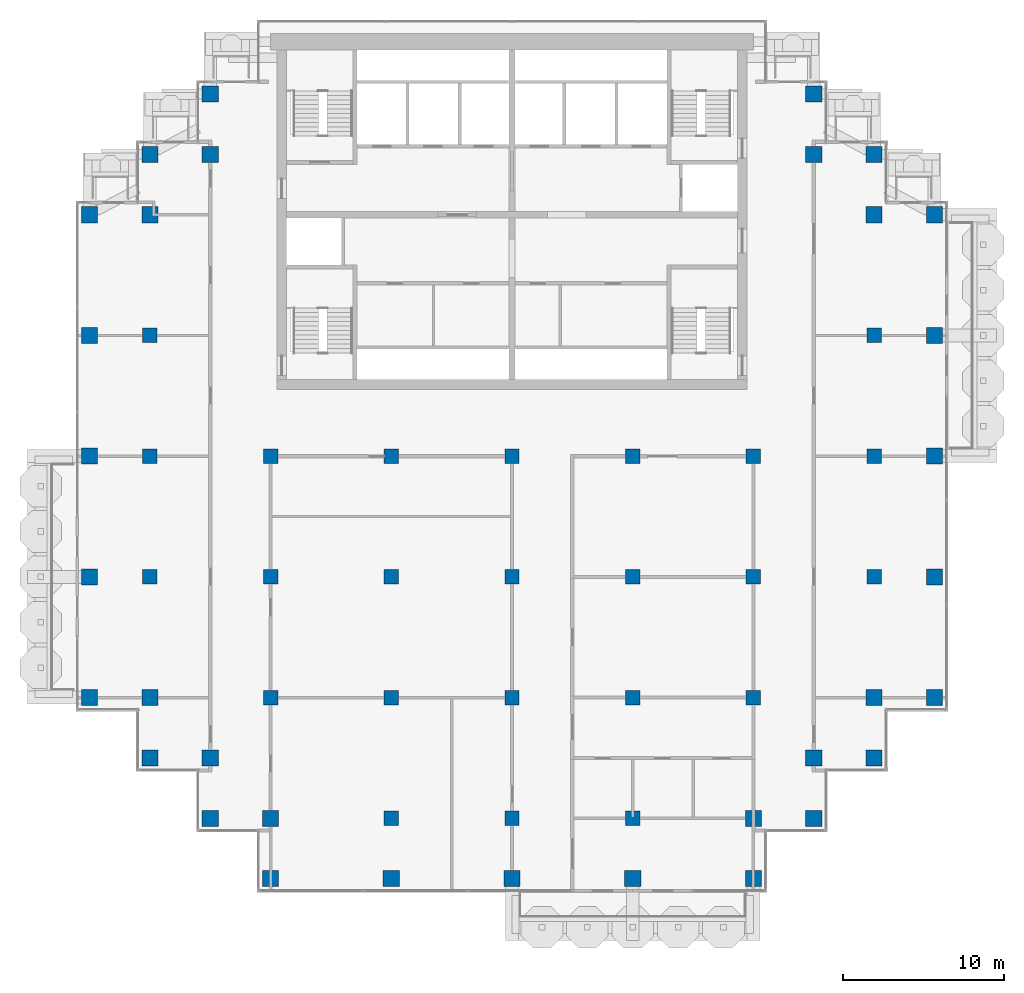
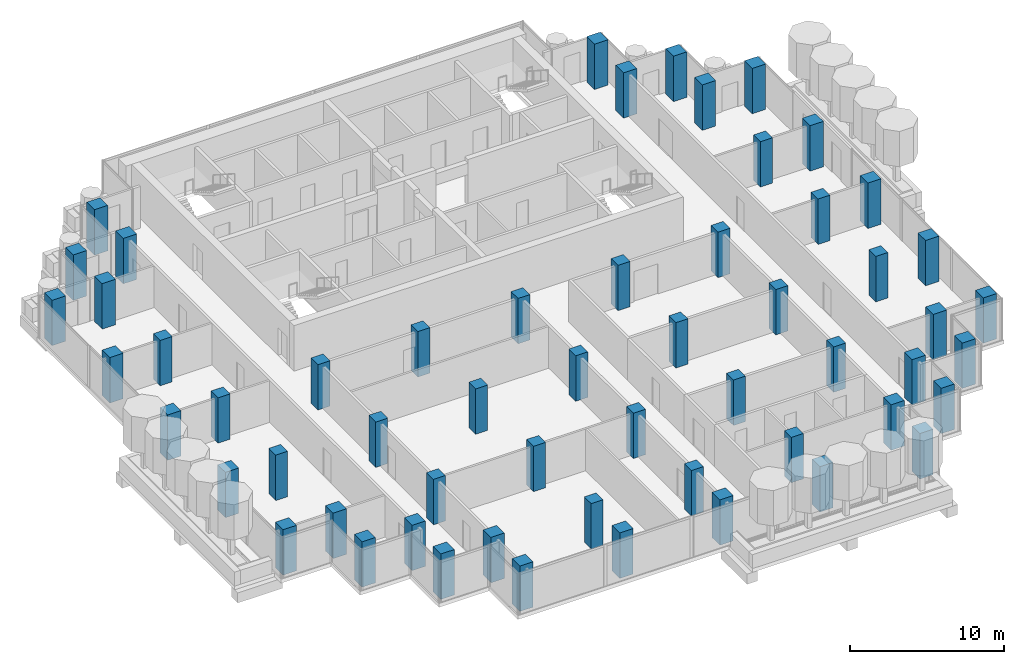
# One storey, part 1 of 18: 57 columns.
"""IFC4 building model written with IfcOpenShell, lengths in metres."""

from ifc_helpers import new_model, si_unit, direction, frame, origin, origin_2d, place, context, subcontext, project, spatial, rectangle, extrude, material, material_profile, profile_set, type_object, element, save


model = new_model("IFC4")

# Units and contexts
model_context = context("Model", 3, precision=1e-05, world=origin(), true_north=direction((0.0, 1.0)))
body_context = subcontext(model_context, "Body", "Model", "MODEL_VIEW")
ifc_project = project(units=[si_unit("LENGTHUNIT", "METRE"), si_unit("AREAUNIT", "SQUARE_METRE"), si_unit("VOLUMEUNIT", "CUBIC_METRE"), si_unit("PLANEANGLEUNIT", "RADIAN"), si_unit("MASSUNIT", "GRAM", prefix="KILO")], contexts=[model_context])

# Site, building, storey
site_placement = place(None, origin())
site = spatial("IfcSite", under=ifc_project, at=site_placement, CompositionType="ELEMENT")
building_placement = place(site_placement, origin())
building = spatial("IfcBuilding", under=site, at=building_placement, Name="Pilkhan Gate Tower", CompositionType="ELEMENT")
storey_placement = place(building_placement, frame((0.0, 0.0, 195.89990234375)))
storey = spatial("IfcBuildingStorey", under=building, at=storey_placement, Name="L50", CompositionType="ELEMENT", Elevation=195.89990234375)

# Columns
ifc_material = material(Name="Concrete C50/60", Category="concrete")
ifc_material_profile_1 = material_profile(ifc_material, rectangle(XDim=1.0, YDim=1.0, at=origin_2d()), Name="RC 1000x1000")
ifc_profile_set_1 = profile_set([ifc_material_profile_1], Name="Concrete C50/60")
column_type_1 = type_object("IfcColumnType", Name="Column C100 RC 1000x1000 C50/60", PredefinedType="COLUMN", material=ifc_profile_set_1)
for number, where, z_axis, x_axis, name in (
    (1, (48.75, 52.5, 0.0), (0.0, 0.0, 1.0), (1.0, 0.0, 0.0), "Column 4/D L50"),
    (2, (48.75, 60.0, 0.0), (0.0, 0.0, 1.0), (1.0, 0.0, 0.0), "Column 4/F L50"),
    (3, (48.75, 67.5, 0.0), (0.0, 0.0, 1.0), (1.0, 0.0, 0.0), "Column 4/H L50"),
    (4, (48.75, 75.0, 0.0), (0.0, 0.0, 1.0), (1.0, 0.0, 0.0), "Column 4/K L50"),
    (5, (48.75, 82.5, 0.0), (0.0, 0.0, 1.0), (1.0, 0.0, 0.0), "Column 4/M L50"),
    (6, (52.5, 48.75, 0.0), (0.0, 0.0, 1.0), (1.0, 0.0, 0.0), "Column 5/C L50"),
    (7, (52.5, 52.5, 0.0), (0.0, 0.0, 1.0), (1.0, 0.0, 0.0), "Column 5/D L50"),
    (8, (52.5, 82.5, 0.0), (0.0, 0.0, 1.0), (1.0, 0.0, 0.0), "Column 5/M L50"),
    (9, (52.5, 86.25, 0.0), (0.0, 0.0, 1.0), (1.0, 0.0, 0.0), "Column 5/N L50"),
    (10, (56.25, 45.0, 0.0), (0.0, 0.0, 1.0), (1.0, 0.0, 0.0), "Column 6/B L50"),
    (11, (56.25, 48.75, 0.0), (0.0, 0.0, 1.0), (1.0, 0.0, 0.0), "Column 6/C L50"),
    (12, (56.25, 86.25, 0.0), (0.0, 0.0, 1.0), (1.0, 0.0, 0.0), "Column 6/N L50"),
    (13, (56.25, 90.0, 0.0), (0.0, 0.0, 1.0), (1.0, 0.0, 0.0), "Column 6/P L50"),
    (14, (60.0, 41.25, 0.0), (0.0, 0.0, 1.0), (1.0, 0.0, 0.0), "Column 7/A L50"),
    (15, (60.0, 45.0, 0.0), (0.0, 0.0, 1.0), (1.0, 0.0, 0.0), "Column 7/B L50"),
    (16, (67.5, 41.25, 0.0), (0.0, 0.0, 1.0), (1.0, 0.0, 0.0), "Column 9/A L50"),
    (17, (75.0, 41.25, 0.0), (0.0, 0.0, 1.0), (1.0, 0.0, 0.0), "Column 11/A L50"),
    (18, (82.5, 41.25, 0.0), (0.0, 0.0, 1.0), (1.0, 0.0, 0.0), "Column 13/A L50"),
    (19, (90.0, 41.25, 0.0), (0.0, 0.0, 1.0), (1.0, 0.0, 0.0), "Column 15/A L50"),
    (20, (90.0, 45.0, 0.0), (0.0, 0.0, 1.0), (1.0, 0.0, 0.0), "Column 15/B L50"),
    (21, (93.75, 45.0, 0.0), (0.0, 0.0, 1.0), (1.0, 0.0, 0.0), "Column 16/B L50"),
    (22, (93.75, 48.75, 0.0), (0.0, 0.0, 1.0), (1.0, 0.0, 0.0), "Column 16/C L50"),
    (23, (93.75, 86.25, 0.0), (0.0, 0.0, 1.0), (1.0, 0.0, 0.0), "Column 16/N L50"),
    (24, (93.75, 90.0, 0.0), (0.0, 0.0, 1.0), (1.0, 0.0, 0.0), "Column 16/P L50"),
    (25, (97.5, 48.75, 0.0), (0.0, 0.0, 1.0), (1.0, 0.0, 0.0), "Column 17/C L50"),
    (26, (97.5, 52.5, 0.0), (0.0, 0.0, 1.0), (1.0, 0.0, 0.0), "Column 17/D L50"),
    (27, (97.5, 82.5, 0.0), (0.0, 0.0, 1.0), (1.0, 0.0, 0.0), "Column 17/M L50"),
    (28, (97.5, 86.25, 0.0), (0.0, 0.0, 1.0), (1.0, 0.0, 0.0), "Column 17/N L50"),
    (29, (101.25, 52.5, 0.0), (0.0, 0.0, 1.0), (1.0, 0.0, 0.0), "Column 18/D L50"),
    (30, (101.25, 60.0, 0.0), (0.0, 0.0, 1.0), (1.0, 0.0, 0.0), "Column 18/F L50"),
    (31, (101.25, 67.5, 0.0), (0.0, 0.0, 1.0), (1.0, 0.0, 0.0), "Column 18/H L50"),
    (32, (101.25, 75.0, 0.0), (0.0, 0.0, 1.0), (1.0, 0.0, 0.0), "Column 18/K L50"),
    (33, (101.25, 82.5, 0.0), (0.0, 0.0, 1.0), (1.0, 0.0, 0.0), "Column 18/M L50"),
):
    element("IfcColumn", number, at=place(storey_placement, frame(where, z_axis=z_axis, x_axis=x_axis)), inside=storey, type_object=column_type_1, Name=name, PredefinedType="COLUMN", context=body_context, shape_type="SweptSolid", body=[
        extrude(rectangle(XDim=1.0, YDim=1.0, at=origin_2d()), origin(), (0.0, 0.0, 1.0), 3.60009765625),
    ])
ifc_material_profile_2 = material_profile(ifc_material, rectangle(XDim=0.89990234375, YDim=0.89990234375, at=origin_2d()), Name="RC 900x900")
ifc_profile_set_2 = profile_set([ifc_material_profile_2], Name="Concrete C50/60")
column_type_2 = type_object("IfcColumnType", Name="Column C90 RC 900x900 C50/60", PredefinedType="COLUMN", material=ifc_profile_set_2)
for number, where, z_axis, x_axis, name in (
    (34, (52.5, 60.0, 0.0), (0.0, 0.0, 1.0), (1.0, 0.0, 0.0), "Column 5/F L50"),
    (35, (52.5, 67.5, 0.0), (0.0, 0.0, 1.0), (1.0, 0.0, 0.0), "Column 5/H L50"),
    (36, (52.5, 75.0, 0.0), (0.0, 0.0, 1.0), (1.0, 0.0, 0.0), "Column 5/K L50"),
    (37, (60.0, 52.5, 0.0), (0.0, 0.0, 1.0), (1.0, 0.0, 0.0), "Column 7/D L50"),
    (38, (60.0, 60.0, 0.0), (0.0, 0.0, 1.0), (1.0, 0.0, 0.0), "Column 7/F L50"),
    (39, (60.0, 67.5, 0.0), (0.0, 0.0, 1.0), (1.0, 0.0, 0.0), "Column 7/H L50"),
    (40, (67.5, 45.0, 0.0), (0.0, 0.0, 1.0), (1.0, 0.0, 0.0), "Column 9/B L50"),
    (41, (67.5, 52.5, 0.0), (0.0, 0.0, 1.0), (1.0, 0.0, 0.0), "Column 9/D L50"),
    (42, (67.5, 60.0, 0.0), (0.0, 0.0, 1.0), (1.0, 0.0, 0.0), "Column 9/F L50"),
    (43, (67.5, 67.5, 0.0), (0.0, 0.0, 1.0), (1.0, 0.0, 0.0), "Column 9/H L50"),
    (44, (75.0, 45.0, 0.0), (0.0, 0.0, 1.0), (1.0, 0.0, 0.0), "Column 11/B L50"),
    (45, (75.0, 52.5, 0.0), (0.0, 0.0, 1.0), (1.0, 0.0, 0.0), "Column 11/D L50"),
    (46, (75.0, 60.0, 0.0), (0.0, 0.0, 1.0), (1.0, 0.0, 0.0), "Column 11/F L50"),
    (47, (75.0, 67.5, 0.0), (0.0, 0.0, 1.0), (1.0, 0.0, 0.0), "Column 11/H L50"),
    (48, (82.5, 45.0, 0.0), (0.0, 0.0, 1.0), (1.0, 0.0, 0.0), "Column 13/B L50"),
    (49, (82.5, 52.5, 0.0), (0.0, 0.0, 1.0), (1.0, 0.0, 0.0), "Column 13/D L50"),
    (50, (82.5, 60.0, 0.0), (0.0, 0.0, 1.0), (1.0, 0.0, 0.0), "Column 13/F L50"),
    (51, (82.5, 67.5, 0.0), (0.0, 0.0, 1.0), (1.0, 0.0, 0.0), "Column 13/H L50"),
    (52, (90.0, 52.5, 0.0), (0.0, 0.0, 1.0), (1.0, 0.0, 0.0), "Column 15/D L50"),
    (53, (90.0, 60.0, 0.0), (0.0, 0.0, 1.0), (1.0, 0.0, 0.0), "Column 15/F L50"),
    (54, (90.0, 67.5, 0.0), (0.0, 0.0, 1.0), (1.0, 0.0, 0.0), "Column 15/H L50"),
    (55, (97.5, 60.0, 0.0), (0.0, 0.0, 1.0), (1.0, 0.0, 0.0), "Column 17/F L50"),
    (56, (97.5, 67.5, 0.0), (0.0, 0.0, 1.0), (1.0, 0.0, 0.0), "Column 17/H L50"),
    (57, (97.5, 75.0, 0.0), (0.0, 0.0, 1.0), (1.0, 0.0, 0.0), "Column 17/K L50"),
):
    element("IfcColumn", number, at=place(storey_placement, frame(where, z_axis=z_axis, x_axis=x_axis)), inside=storey, type_object=column_type_2, Name=name, PredefinedType="COLUMN", context=body_context, shape_type="SweptSolid", body=[
        extrude(rectangle(XDim=0.89990234375, YDim=0.89990234375, at=origin_2d()), origin(), (0.0, 0.0, 1.0), 3.60009765625),
    ])

save(model, "model.ifc")
